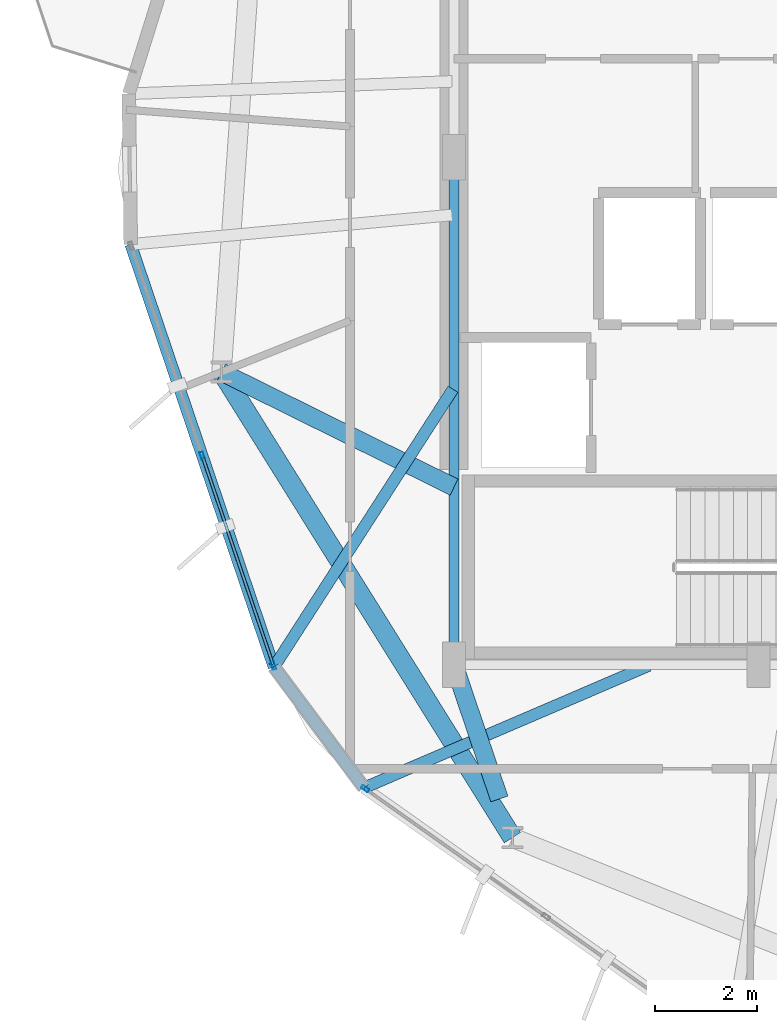
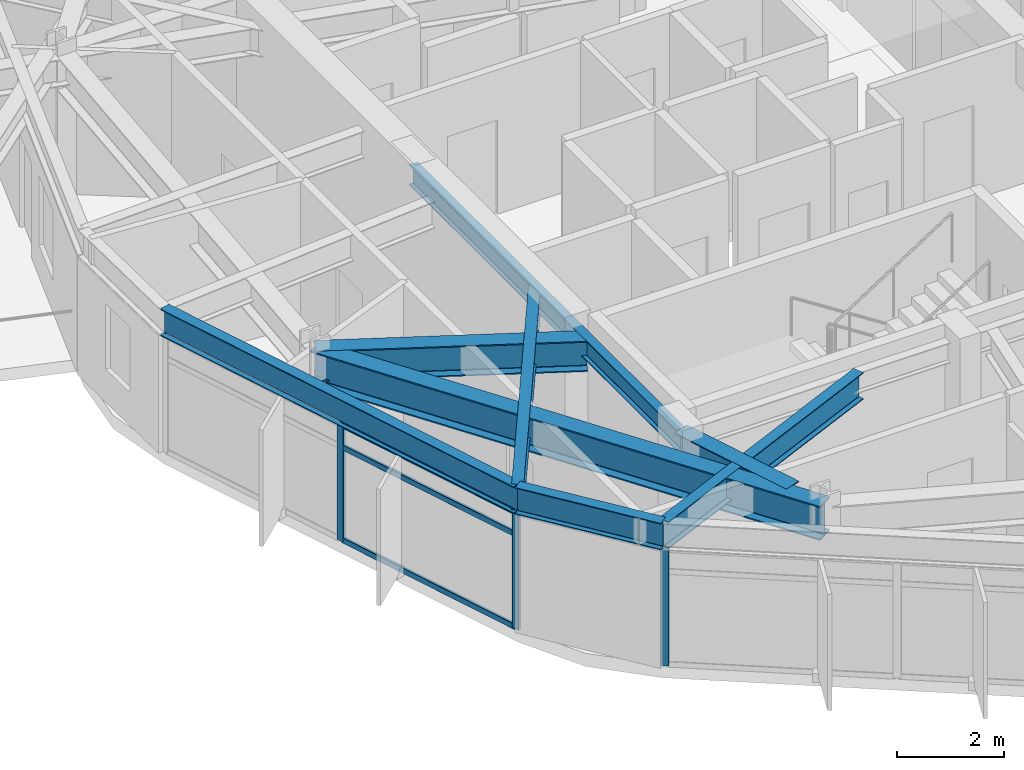
# One storey, part 3 of 27: 8 beams, 6 members, 2 elements without a shape of their own.
"""IFC4 building model written with IfcOpenShell, lengths in metres."""

from ifc_helpers import new_model, si_unit, direction, frame, origin, origin_2d, place, context, subcontext, project, spatial, hollow_rectangle, i_section, extrude, material, layer, layer_set, material_profile, profile_set, type_object, element, aggregate, save


model = new_model("IFC4")

# Units and contexts
model_context = context("Model", 3, precision=1e-05, world=origin(), true_north=direction((0.0, 1.0)))
body_context = subcontext(model_context, "Body", "Model", "MODEL_VIEW")
ifc_project = project(units=[si_unit("LENGTHUNIT", "METRE"), si_unit("AREAUNIT", "SQUARE_METRE"), si_unit("VOLUMEUNIT", "CUBIC_METRE"), si_unit("PLANEANGLEUNIT", "RADIAN"), si_unit("MASSUNIT", "GRAM", prefix="KILO")], contexts=[model_context])

# Site, building, storey
site_placement = place(None, origin())
site = spatial("IfcSite", under=ifc_project, at=site_placement, CompositionType="ELEMENT")
building_placement = place(site_placement, origin())
building = spatial("IfcBuilding", under=site, at=building_placement, Name="Soratama Intermodal Tower", CompositionType="ELEMENT")
storey_placement = place(building_placement, frame((0.0, 0.0, 167.800048828125)))
storey = spatial("IfcBuildingStorey", under=building, at=storey_placement, Name="L41", CompositionType="ELEMENT", Elevation=167.800048828125)

# Beams
ifc_material_1 = material(Name="Structural steel ASTM A992 Grade 50", Category="steel")
ifc_material_profile_1 = material_profile(ifc_material_1, i_section(OverallWidth=0.19091796875, OverallDepth=0.4599609375, WebThickness=0.010009765625, FlangeThickness=0.01611328125, FilletRadius=0.010986328125, at=origin_2d()), Name="W18X55")
ifc_profile_set_1 = profile_set([ifc_material_profile_1], Name="Structural steel ASTM A992 Grade 50")
beam_type_1 = type_object("IfcBeamType", Name="BM-FLR-W18X55", PredefinedType="BEAM", material=ifc_profile_set_1)
beam_1_placement = place(storey_placement, frame((32.60009765625, 25.0, 3.070068359375), z_axis=(0.0, -1.0, 0.0), x_axis=(1.0, 0.0, 0.0)))
element("IfcBeam", 1, at=beam_1_placement, inside=storey, type_object=beam_type_1, Name="BM-L41-CRING-09", PredefinedType="BEAM", context=body_context, shape_type="SweptSolid", body=[
    extrude(i_section(OverallWidth=0.19091796875, OverallDepth=0.4599609375, WebThickness=0.010009765625, FlangeThickness=0.01611328125, FilletRadius=0.010986328125, at=origin_2d()), origin(), (0.0, 0.0, 1.0), 10.0),
])
ifc_material_2 = material(Name="Structural steel ASTM A992 Grade 50", Category="steel")
ifc_material_profile_2 = material_profile(ifc_material_2, i_section(OverallWidth=0.35498046875, OverallDepth=0.695068359375, WebThickness=0.015380859375, FlangeThickness=0.02490234375, FilletRadius=0.01611328125, at=origin_2d()), Name="W27X146")
ifc_profile_set_2 = profile_set([ifc_material_profile_2], Name="Structural steel ASTM A992 Grade 50")
beam_type_2 = type_object("IfcBeamType", Name="BM-RING-W27X146", PredefinedType="BEAM", material=ifc_profile_set_2)
beam_2_placement = place(storey_placement, frame((32.60009765625, 18.5, 2.952392578125), z_axis=(-0.89629219718, 0.443463975172, 0.0), x_axis=(-0.443463975172, -0.89629219718, 0.0)))
element("IfcBeam", 2, at=beam_2_placement, inside=storey, type_object=beam_type_2, Name="BM-L41-RAD-06", PredefinedType="BEAM", context=body_context, shape_type="SweptSolid", body=[
    extrude(i_section(OverallWidth=0.35498046875, OverallDepth=0.695068359375, WebThickness=0.015380859375, FlangeThickness=0.02490234375, FilletRadius=0.01611328125, at=origin_2d()), origin(), (0.0, 0.0, 1.0), 5.110107421875),
])
beam_3_placement = place(storey_placement, frame((32.60009765625, 15.0, 2.952392578125), z_axis=(0.32013816754, -0.947370863856, 0.0), x_axis=(0.947370863856, 0.32013816754, 0.0)))
element("IfcBeam", 3, at=beam_3_placement, inside=storey, type_object=beam_type_2, Name="BM-L41-RAD-07", PredefinedType="BEAM", context=body_context, shape_type="SweptSolid", body=[
    extrude(i_section(OverallWidth=0.35498046875, OverallDepth=0.695068359375, WebThickness=0.015380859375, FlangeThickness=0.02490234375, FilletRadius=0.01611328125, at=origin_2d()), origin(), (0.0, 0.0, 1.0), 2.788818359375),
])
ifc_material_3 = material(Name="Structural steel ASTM A992 Grade 50", Category="steel")
ifc_material_profile_3 = material_profile(ifc_material_3, i_section(OverallWidth=0.382080078125, OverallDepth=0.779052734375, WebThickness=0.01806640625, FlangeThickness=0.030029296875, FilletRadius=0.01806640625, at=origin_2d()), Name="W30X191")
ifc_profile_set_3 = profile_set([ifc_material_profile_3], Name="Structural steel ASTM A992 Grade 50")
beam_type_3 = type_object("IfcBeamType", Name="BM-RING-W30X191", PredefinedType="BEAM", material=ifc_profile_set_3)
beam_4_placement = place(storey_placement, frame((28.02001953125, 20.76611328125, 2.910400390625), z_axis=(0.529891394359, -0.84806551055, 0.0), x_axis=(0.84806551055, 0.529891394359, 0.0)))
element("IfcBeam", 4, at=beam_4_placement, inside=storey, type_object=beam_type_3, Name="BM-L41-RING-06", PredefinedType="BEAM", context=body_context, shape_type="SweptSolid", body=[
    extrude(i_section(OverallWidth=0.382080078125, OverallDepth=0.779052734375, WebThickness=0.01806640625, FlangeThickness=0.030029296875, FilletRadius=0.01806640625, at=origin_2d()), origin(), (0.0, 0.0, 1.0), 10.8154296875),
])
ifc_material_4 = material(Name="Structural steel ASTM A992 Grade 50", Category="steel")
ifc_material_profile_4 = material_profile(ifc_material_4, i_section(OverallWidth=0.22900390625, OverallDepth=0.612060546875, WebThickness=0.011962890625, FlangeThickness=0.01953125, FilletRadius=0.012939453125, at=origin_2d()), Name="W24X84")
ifc_profile_set_4 = profile_set([ifc_material_profile_4], Name="Structural steel ASTM A992 Grade 50")
beam_type_4 = type_object("IfcBeamType", Name="BM-SPN-W24X84", PredefinedType="SPANDREL", material=ifc_profile_set_4)
beam_5_placement = place(storey_placement, frame((26.22998046875, 23.281005859375, 2.993896484375), z_axis=(0.320872525335, -0.947122390446, 0.0), x_axis=(0.947122390446, 0.320872525335, 0.0)))
element("IfcBeam", 5, at=beam_5_placement, inside=storey, type_object=beam_type_4, Name="BS-L41-F05", PredefinedType="SPANDREL", context=body_context, shape_type="SweptSolid", body=[
    extrude(i_section(OverallWidth=0.22900390625, OverallDepth=0.612060546875, WebThickness=0.011962890625, FlangeThickness=0.01953125, FilletRadius=0.012939453125, at=origin_2d()), origin(), (0.0, 0.0, 1.0), 8.791748046875),
])
beam_6_placement = place(storey_placement, frame((29.051025390625, 14.9541015625, 2.993896484375), z_axis=(0.59790453929, -0.801567315886, 0.0), x_axis=(0.801567315886, 0.59790453929, 0.0)))
element("IfcBeam", 6, at=beam_6_placement, inside=storey, type_object=beam_type_4, Name="BS-L41-CRN05", PredefinedType="SPANDREL", context=body_context, shape_type="SweptSolid", body=[
    extrude(i_section(OverallWidth=0.22900390625, OverallDepth=0.612060546875, WebThickness=0.011962890625, FlangeThickness=0.01953125, FilletRadius=0.012939453125, at=origin_2d()), origin(), (0.0, 0.0, 1.0), 2.966796875),
])
ifc_material_5 = material(Name="Structural steel ASTM A992 Grade 50", Category="steel")
ifc_material_profile_5 = material_profile(ifc_material_5, i_section(OverallWidth=0.22900390625, OverallDepth=0.612060546875, WebThickness=0.011962890625, FlangeThickness=0.01953125, FilletRadius=0.012939453125, at=origin_2d()), Name="W24X84")
ifc_profile_set_5 = profile_set([ifc_material_profile_5], Name="Structural steel ASTM A992 Grade 50")
beam_type_5 = type_object("IfcBeamType", Name="BM-TIE-W24X84", PredefinedType="BEAM", material=ifc_profile_set_5)
beam_7_placement = place(storey_placement, frame((32.577880859375, 20.427978515625, 2.993896484375), z_axis=(-0.541619503937, -0.84062376421, 0.0), x_axis=(0.84062376421, -0.541619503937, 0.0)))
element("IfcBeam", 7, at=beam_7_placement, inside=storey, type_object=beam_type_5, Name="BM-L41-TIE1-05", PredefinedType="BEAM", context=body_context, shape_type="SweptSolid", body=[
    extrude(i_section(OverallWidth=0.22900390625, OverallDepth=0.612060546875, WebThickness=0.011962890625, FlangeThickness=0.01953125, FilletRadius=0.012939453125, at=origin_2d()), origin(), (0.0, 0.0, 1.0), 6.51171875),
])
beam_8_placement = place(storey_placement, frame((36.43408203125, 14.98388671875, 2.993896484375), z_axis=(-0.9189048843, -0.394479167523, 0.0), x_axis=(0.394479167523, -0.9189048843, 0.0)))
element("IfcBeam", 8, at=beam_8_placement, inside=storey, type_object=beam_type_5, Name="BM-L41-TIE0-06", PredefinedType="BEAM", context=body_context, shape_type="SweptSolid", body=[
    extrude(i_section(OverallWidth=0.22900390625, OverallDepth=0.612060546875, WebThickness=0.011962890625, FlangeThickness=0.01953125, FilletRadius=0.012939453125, at=origin_2d()), origin(), (0.0, 0.0, 1.0), 6.104248046875),
])

# Curtain wall, members
ifc_material_6 = material(Name="Double-glazed aluminium curtain wall", Category="aluminium")
ifc_layer = layer(ifc_material_6, 0.159912109375)
ifc_layer_set = layer_set([ifc_layer], Name="Double-glazed aluminium curtain wall")
curtain_wall_type = type_object("IfcCurtainWallType", Name="CW-SYS-4", PredefinedType="NOTDEFINED", material=ifc_layer_set)
curtain_wall_1_placement = place(storey_placement, origin())
curtain_wall_1 = element("IfcCurtainWall", 9, at=curtain_wall_1_placement, inside=storey, type_object=curtain_wall_type, Name="L41 Faceted Curtain Wall F05", PredefinedType="NOTDEFINED")
ifc_material_7 = material(Name="Anodised aluminium AA 6063-T6", Category="aluminium")
ifc_material_profile_6 = material_profile(ifc_material_7, hollow_rectangle(XDim=0.070068359375, YDim=0.159912109375, WallThickness=0.0048828125, InnerFilletRadius=0.0048828125, OuterFilletRadius=0.010009765625, at=origin_2d()), Name="CWM160X70X5")
ifc_profile_set_6 = profile_set([ifc_material_profile_6], Name="Anodised aluminium AA 6063-T6")
member_type_1 = type_object("IfcMemberType", Name="MT-CWM-4", PredefinedType="MULLION", material=ifc_profile_set_6)
member_1_placement = place(storey_placement, frame((27.640625, 19.117431640625, 0.0), z_axis=(0.0, 0.0, 1.0), x_axis=(0.947099636849, 0.320939679503, 0.0)))
member_1 = element("IfcMember", 10, at=member_1_placement, type_object=member_type_1, Name="CW-4 mullion 2", PredefinedType="MULLION", context=body_context, shape_type="SweptSolid", body=[
    extrude(hollow_rectangle(XDim=0.070068359375, YDim=0.159912109375, WallThickness=0.0048828125, InnerFilletRadius=0.0048828125, OuterFilletRadius=0.010009765625, at=origin_2d()), origin(), (0.0, 0.0, 1.0), 2.678955078125),
])
member_2_placement = place(storey_placement, frame((29.041748046875, 14.982421875, 0.0), z_axis=(0.0, 0.0, 1.0), x_axis=(0.947099636849, 0.320939679503, 0.0)))
member_2 = element("IfcMember", 11, at=member_2_placement, type_object=member_type_1, Name="CW-4 mullion 3", PredefinedType="MULLION", context=body_context, shape_type="SweptSolid", body=[
    extrude(hollow_rectangle(XDim=0.070068359375, YDim=0.159912109375, WallThickness=0.0048828125, InnerFilletRadius=0.0048828125, OuterFilletRadius=0.010009765625, at=origin_2d()), origin(), (0.0, 0.0, 1.0), 2.678955078125),
])

# Curtain wall, member
curtain_wall_2_placement = place(storey_placement, origin())
curtain_wall_2 = element("IfcCurtainWall", 12, at=curtain_wall_2_placement, inside=storey, type_object=curtain_wall_type, Name="L41 Faceted Curtain Wall F06", PredefinedType="NOTDEFINED")
member_3_placement = place(storey_placement, frame((30.849609375, 12.558837890625, 0.0), z_axis=(0.0, 0.0, 1.0), x_axis=(0.577564383542, 0.816345137098, 0.0)))
member_3 = element("IfcMember", 13, at=member_3_placement, type_object=member_type_1, Name="CW-4 mullion 1", PredefinedType="MULLION", context=body_context, shape_type="SweptSolid", body=[
    extrude(hollow_rectangle(XDim=0.070068359375, YDim=0.159912109375, WallThickness=0.0048828125, InnerFilletRadius=0.0048828125, OuterFilletRadius=0.010009765625, at=origin_2d()), origin(), (0.0, 0.0, 1.0), 2.678955078125),
])
aggregate(curtain_wall_2, [member_3])

# Member
ifc_material_8 = material(Name="Anodised aluminium AA 6063-T6", Category="aluminium")
ifc_material_profile_7 = material_profile(ifc_material_8, hollow_rectangle(XDim=0.06005859375, YDim=0.1298828125, WallThickness=0.0048828125, InnerFilletRadius=0.0048828125, OuterFilletRadius=0.010009765625, at=origin_2d()), Name="CWT130X60X5")
ifc_profile_set_7 = profile_set([ifc_material_profile_7], Name="Anodised aluminium AA 6063-T6")
member_type_2 = type_object("IfcMemberType", Name="TT-CWT-2", PredefinedType="USERDEFINED", material=ifc_profile_set_7)
member_4_placement = place(storey_placement, frame((27.650146484375, 19.0888671875, 0.030029296875), z_axis=(0.32098669927, -0.947083702157, 0.0), x_axis=(0.947083702157, 0.32098669927, 0.0)))
member_4 = element("IfcMember", 14, at=member_4_placement, type_object=member_type_2, Name="CW-4 transom 2.1", ObjectType="TRANSOM", PredefinedType="USERDEFINED", context=body_context, shape_type="SweptSolid", body=[
    extrude(hollow_rectangle(XDim=0.06005859375, YDim=0.1298828125, WallThickness=0.0048828125, InnerFilletRadius=0.0048828125, OuterFilletRadius=0.010009765625, at=origin_2d()), origin(), (0.0, 0.0, 1.0), 4.3056640625),
])

member_5_placement = place(storey_placement, frame((27.650146484375, 19.0888671875, 2.14990234375), z_axis=(0.32098669927, -0.947083702157, 0.0), x_axis=(0.947083702157, 0.32098669927, 0.0)))
member_5 = element("IfcMember", 15, at=member_5_placement, type_object=member_type_2, Name="CW-4 transom 2.2", ObjectType="TRANSOM", PredefinedType="USERDEFINED", context=body_context, shape_type="SweptSolid", body=[
    extrude(hollow_rectangle(XDim=0.06005859375, YDim=0.1298828125, WallThickness=0.0048828125, InnerFilletRadius=0.0048828125, OuterFilletRadius=0.010009765625, at=origin_2d()), origin(), (0.0, 0.0, 1.0), 4.3056640625),
])

member_6_placement = place(storey_placement, frame((27.650146484375, 19.0888671875, 2.64892578125), z_axis=(0.32098669927, -0.947083702157, 0.0), x_axis=(0.947083702157, 0.32098669927, 0.0)))
member_6 = element("IfcMember", 16, at=member_6_placement, type_object=member_type_2, Name="CW-4 transom 2.3", ObjectType="TRANSOM", PredefinedType="USERDEFINED", context=body_context, shape_type="SweptSolid", body=[
    extrude(hollow_rectangle(XDim=0.06005859375, YDim=0.1298828125, WallThickness=0.0048828125, InnerFilletRadius=0.0048828125, OuterFilletRadius=0.010009765625, at=origin_2d()), origin(), (0.0, 0.0, 1.0), 4.3056640625),
])

aggregate(curtain_wall_1, [member_1, member_2, member_4, member_5, member_6])

save(model, "model.ifc")
